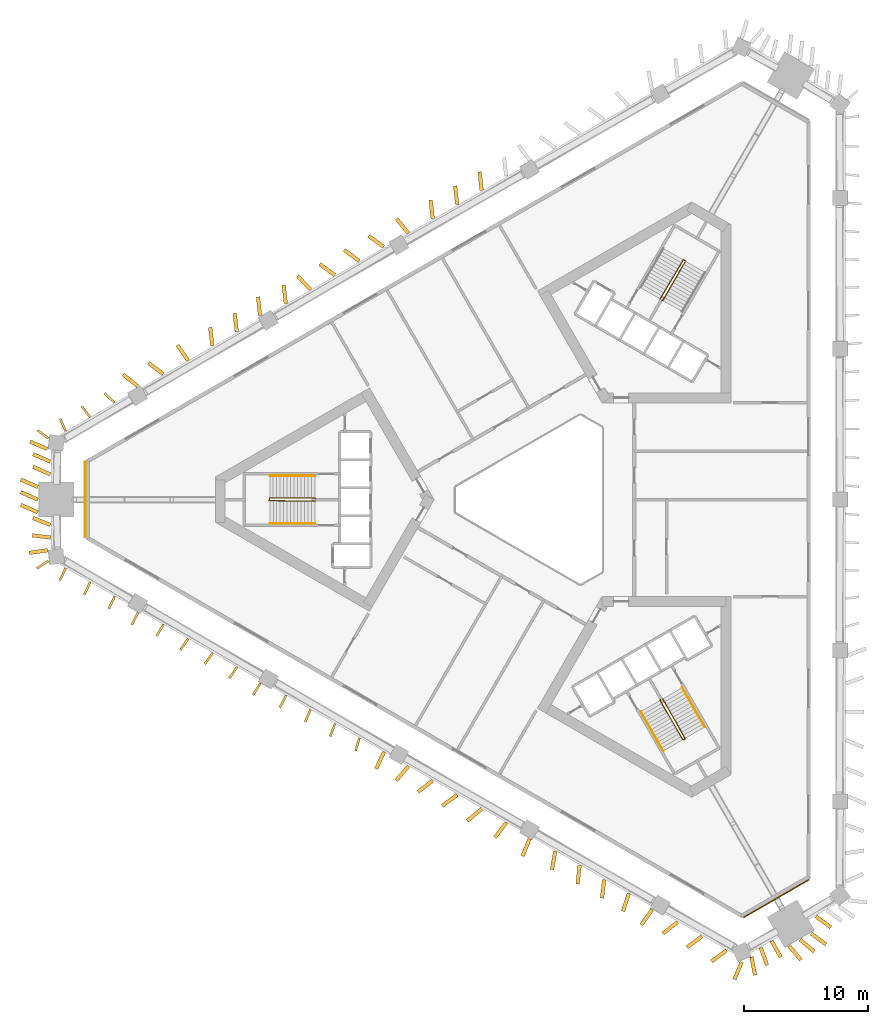
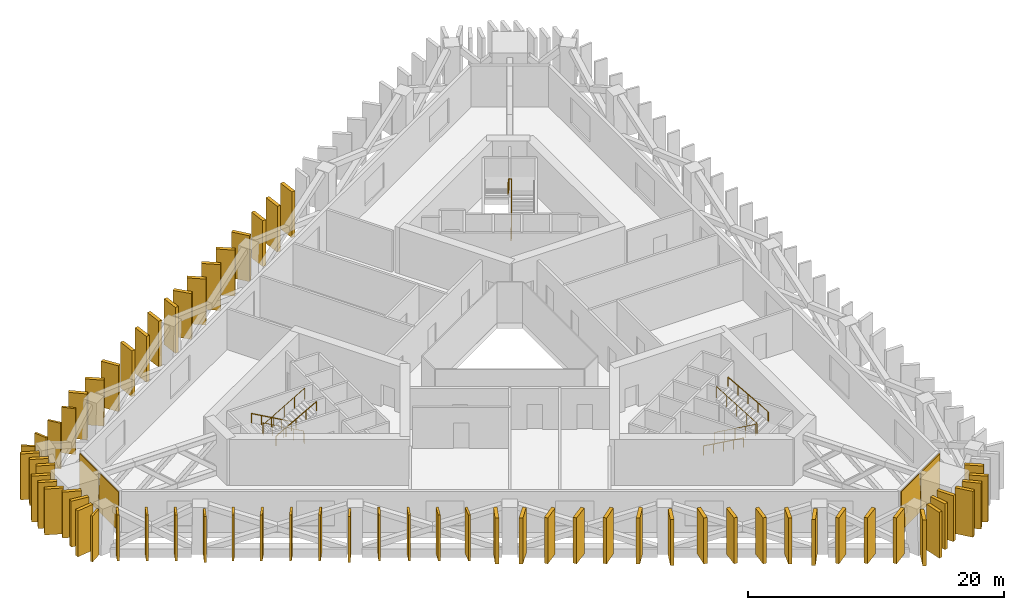
# One storey, part 8 of 9: 65 shading devices, 7 railings, 4 coverings.
"""IFC4 building model written with IfcOpenShell, lengths in metres."""

from ifc_helpers import new_model, si_unit, direction, frame, frame_2d, origin, origin_2d, place, context, subcontext, project, spatial, rectangle, circle, extrude, material, layer, layer_set, type_object, element, save


model = new_model("IFC4")

# Units and contexts
model_context = context("Model", 3, precision=1e-05, world=origin(), true_north=direction((0.0, 1.0)))
body_context = subcontext(model_context, "Body", "Model", "MODEL_VIEW")
ifc_project = project(units=[si_unit("LENGTHUNIT", "METRE"), si_unit("AREAUNIT", "SQUARE_METRE"), si_unit("VOLUMEUNIT", "CUBIC_METRE"), si_unit("PLANEANGLEUNIT", "RADIAN"), si_unit("MASSUNIT", "GRAM", prefix="KILO")], contexts=[model_context])

# Site, building, storey
site_placement = place(None, origin())
site = spatial("IfcSite", under=ifc_project, at=site_placement, CompositionType="ELEMENT")
building_placement = place(site_placement, origin())
building = spatial("IfcBuilding", under=site, at=building_placement, Name="Jabali Bay Hotel Tower and Convention Centre", CompositionType="ELEMENT")
storey_placement = place(building_placement, frame((0.0, 0.0, 48.5)))
storey = spatial("IfcBuildingStorey", under=building, at=storey_placement, Name="L10", CompositionType="ELEMENT", Elevation=48.5)

# Shading devices
ifc_material_1 = material(Name="Precast concrete C60", Category="concrete")
ifc_layer_1 = layer(ifc_material_1, 0.179931640625)
ifc_layer_set_1 = layer_set([ifc_layer_1], Name="Precast concrete C60")
shading_device_type_1 = type_object("IfcShadingDeviceType", Name="Precast fin 4380 x 1100", PredefinedType="USERDEFINED", material=ifc_layer_set_1)
shading_device_1_placement = place(storey_placement, frame((40.29296875, 87.79296875, 0.010009765625), z_axis=(0.0, 0.0, 1.0), x_axis=(-0.729059471896, 0.684450353524, 0.0)))
element("IfcShadingDevice", 1, at=shading_device_1_placement, inside=storey, type_object=shading_device_type_1, Name="Fin L10 062", ObjectType="FIN", PredefinedType="USERDEFINED", context=body_context, shape_type="SweptSolid", body=[
    extrude(rectangle(XDim=1.10009765625, YDim=0.179931640625, at=frame_2d((0.550048828125, 0.0))), origin(), (0.0, 0.0, 1.0), 4.3798828125),
])
shading_device_2_placement = place(storey_placement, frame((38.32958984375, 86.644287109375, 0.010009765625), z_axis=(0.0, 0.0, 1.0), x_axis=(-0.617958784537, 0.786210493833, 0.0)))
element("IfcShadingDevice", 2, at=shading_device_2_placement, inside=storey, type_object=shading_device_type_1, Name="Fin L10 063", ObjectType="FIN", PredefinedType="USERDEFINED", context=body_context, shape_type="SweptSolid", body=[
    extrude(rectangle(XDim=1.099853515625, YDim=0.179931640625, at=frame_2d((0.5498046875, 0.0))), origin(), (0.0, 0.0, 1.0), 4.3798828125),
])
for number, where, z_axis, x_axis, name in (
    (3, (36.361083984375, 85.504150390625, 0.010009765625), (0.0, 0.0, 1.0), (-0.403727634838, 0.91487922529, 0.0), "Fin L10 064"),
    (4, (36.362060546875, 74.497802734375, 0.010009765625), (0.0, 0.0, 1.0), (-0.425871847727, -0.90478349306, 0.0), "Fin L10 074"),
    (5, (38.332275390625, 73.3603515625, 0.010009765625), (0.0, 0.0, 1.0), (-0.426139043855, -0.904657678518, 0.0), "Fin L10 075"),
):
    element("IfcShadingDevice", number, at=place(storey_placement, frame(where, z_axis=z_axis, x_axis=x_axis)), inside=storey, type_object=shading_device_type_1, Name=name, ObjectType="FIN", PredefinedType="USERDEFINED", context=body_context, shape_type="SweptSolid", body=[
        extrude(rectangle(XDim=1.10009765625, YDim=0.179931640625, at=frame_2d((0.550048828125, 0.0))), origin(), (0.0, 0.0, 1.0), 4.3798828125),
    ])
shading_device_3_placement = place(storey_placement, frame((40.30224609375, 72.222900390625, 0.010009765625), z_axis=(0.0, 0.0, 1.0), x_axis=(-0.426406259565, -0.904531758317, 0.0)))
element("IfcShadingDevice", 6, at=shading_device_3_placement, inside=storey, type_object=shading_device_type_1, Name="Fin L10 076", ObjectType="FIN", PredefinedType="USERDEFINED", context=body_context, shape_type="SweptSolid", body=[
    extrude(rectangle(XDim=1.099853515625, YDim=0.179931640625, at=frame_2d((0.5498046875, 0.0))), origin(), (0.0, 0.0, 1.0), 4.3798828125),
])
for number, where, z_axis, x_axis, name in (
    (7, (42.173095703125, 70.91357421875, 0.010009765625), (0.0, 0.0, 1.0), (-0.439385247314, -0.898298727842, 0.0), "Fin L10 077"),
    (8, (44.24462890625, 69.9521484375, 0.010009765625), (0.0, 0.0, 1.0), (-0.527103179005, -0.849801293646, 0.0), "Fin L10 078"),
    (9, (46.21240234375, 68.810791015625, 0.010009765625), (0.0, 0.0, 1.0), (-0.570375013662, -0.821384406834, 0.0), "Fin L10 079"),
    (10, (48.1826171875, 67.67333984375, 0.010009765625), (0.0, 0.0, 1.0), (-0.570778360413, -0.821104173223, 0.0), "Fin L10 080"),
):
    element("IfcShadingDevice", number, at=place(storey_placement, frame(where, z_axis=z_axis, x_axis=x_axis)), inside=storey, type_object=shading_device_type_1, Name=name, ObjectType="FIN", PredefinedType="USERDEFINED", context=body_context, shape_type="SweptSolid", body=[
        extrude(rectangle(XDim=1.10009765625, YDim=0.179931640625, at=frame_2d((0.550048828125, 0.0))), origin(), (0.0, 0.0, 1.0), 4.3798828125),
    ])
shading_device_4_placement = place(storey_placement, frame((50.152587890625, 66.53564453125, 0.010009765625), z_axis=(0.0, 0.0, 1.0), x_axis=(-0.571792661688, -0.82039816677, 0.0)))
element("IfcShadingDevice", 11, at=shading_device_4_placement, inside=storey, type_object=shading_device_type_1, Name="Fin L10 081", ObjectType="FIN", PredefinedType="USERDEFINED", context=body_context, shape_type="SweptSolid", body=[
    extrude(rectangle(XDim=1.099853515625, YDim=0.179931640625, at=frame_2d((0.5498046875, 0.0))), origin(), (0.0, 0.0, 1.0), 4.3798828125),
])
for number, where, z_axis, x_axis, name in (
    (12, (52.02490234375, 65.22900390625, 0.010009765625), (0.0, 0.0, 1.0), (-0.531753325391, -0.846899286182, 0.0), "Fin L10 082"),
    (13, (54.09423828125, 64.263671875, 0.010009765625), (0.0, 0.0, 1.0), (-0.455627145521, -0.89017071636, 0.0), "Fin L10 083"),
    (14, (56.0615234375, 63.121337890625, 0.010009765625), (0.0, 0.0, 1.0), (-0.398815377092, -0.917031239923, 0.0), "Fin L10 084"),
    (15, (58.029296875, 61.980224609375, 0.010009765625), (0.0, 0.0, 1.0), (-0.354453502302, -0.935073641328, 0.0), "Fin L10 085"),
):
    element("IfcShadingDevice", number, at=place(storey_placement, frame(where, z_axis=z_axis, x_axis=x_axis)), inside=storey, type_object=shading_device_type_1, Name=name, ObjectType="FIN", PredefinedType="USERDEFINED", context=body_context, shape_type="SweptSolid", body=[
        extrude(rectangle(XDim=1.10009765625, YDim=0.179931640625, at=frame_2d((0.550048828125, 0.0))), origin(), (0.0, 0.0, 1.0), 4.3798828125),
    ])
shading_device_5_placement = place(storey_placement, frame((59.995849609375, 60.836669921875, 0.010009765625), z_axis=(0.0, 0.0, 1.0), x_axis=(-0.279232797294, -0.960223434892, 0.0)))
element("IfcShadingDevice", 16, at=shading_device_5_placement, inside=storey, type_object=shading_device_type_1, Name="Fin L10 086", ObjectType="FIN", PredefinedType="USERDEFINED", context=body_context, shape_type="SweptSolid", body=[
    extrude(rectangle(XDim=1.099853515625, YDim=0.179931640625, at=frame_2d((0.5498046875, 0.0))), origin(), (0.0, 0.0, 1.0), 4.3798828125),
])
shading_device_6_placement = place(storey_placement, frame((34.97314453125, 84.931640625, 0.010009765625), z_axis=(0.0, 0.0, 1.0), x_axis=(-0.805189696637, 0.593017328945, 0.0)))
element("IfcShadingDevice", 17, at=shading_device_6_placement, inside=storey, type_object=shading_device_type_1, Name="Fin L10 114", ObjectType="FIN", PredefinedType="USERDEFINED", context=body_context, shape_type="SweptSolid", body=[
    extrude(rectangle(XDim=1.10009765625, YDim=0.179931640625, at=frame_2d((0.550048828125, 0.0))), origin(), (0.0, 0.0, 1.0), 4.3798828125),
])
shading_device_7_placement = place(storey_placement, frame((34.977294921875, 75.07080078125, 0.010009765625), z_axis=(0.0, 0.0, 1.0), x_axis=(-0.837473682353, -0.546477658615, 0.0)))
element("IfcShadingDevice", 18, at=shading_device_7_placement, inside=storey, type_object=shading_device_type_1, Name="Fin L10 115", ObjectType="FIN", PredefinedType="USERDEFINED", context=body_context, shape_type="SweptSolid", body=[
    extrude(rectangle(XDim=1.099853515625, YDim=0.179931640625, at=frame_2d((0.5498046875, 0.0))), origin(), (0.0, 0.0, 1.0), 4.3798828125),
])
ifc_layer_2 = layer(ifc_material_1, 0.300048828125)
ifc_layer_set_2 = layer_set([ifc_layer_2], Name="Precast concrete C60")
shading_device_type_2 = type_object("IfcShadingDeviceType", Name="Precast fin 4380 x 1500", PredefinedType="USERDEFINED", material=ifc_layer_set_2)
for number, where, z_axis, x_axis, name in (
    (19, (69.826904296875, 104.884033203125, 0.010009765625), (0.0, 0.0, 1.0), (-0.110020665906, 0.993929299837, 0.0), "Fin L10 047"),
    (20, (67.856689453125, 103.74658203125, 0.010009765625), (0.0, 0.0, 1.0), (-0.10985987917, 0.993947084582, 0.0), "Fin L10 048"),
    (21, (65.88671875, 102.609130859375, 0.010009765625), (0.0, 0.0, 1.0), (-0.10985987917, 0.993947084582, 0.0), "Fin L10 049"),
):
    element("IfcShadingDevice", number, at=place(storey_placement, frame(where, z_axis=z_axis, x_axis=x_axis)), inside=storey, type_object=shading_device_type_2, Name=name, ObjectType="FIN", PredefinedType="USERDEFINED", context=body_context, shape_type="SweptSolid", body=[
        extrude(rectangle(XDim=1.5, YDim=0.300048828125, at=frame_2d((0.75, 0.0))), origin(), (0.0, 0.0, 1.0), 4.3798828125),
    ])
shading_device_8_placement = place(storey_placement, frame((63.93408203125, 101.44140625, 0.010009765625), z_axis=(0.0, 0.0, 1.0), x_axis=(-0.638277054246, 0.769806730305, 0.0)))
element("IfcShadingDevice", 22, at=shading_device_8_placement, inside=storey, type_object=shading_device_type_2, Name="Fin L10 050", ObjectType="FIN", PredefinedType="USERDEFINED", context=body_context, shape_type="SweptSolid", body=[
    extrude(rectangle(XDim=1.499755859375, YDim=0.300048828125, at=frame_2d((0.75, 0.0))), origin(), (0.0, 0.0, 1.0), 4.3798828125),
])
for number, where, z_axis, x_axis, name in (
    (23, (61.946533203125, 100.334228515625, 0.010009765625), (0.0, 0.0, 1.0), (-0.805762938582, 0.592238201071, 0.0), "Fin L10 051"),
    (24, (59.9765625, 99.197021484375, 0.010009765625), (0.0, 0.0, 1.0), (-0.805840602837, 0.592132521333, 0.0), "Fin L10 052"),
    (25, (58.006591796875, 98.0595703125, 0.010009765625), (0.0, 0.0, 1.0), (-0.805840602837, 0.592132521333, 0.0), "Fin L10 053"),
    (26, (56.049560546875, 96.8994140625, 0.010009765625), (0.0, 0.0, 1.0), (-0.683951957459, 0.729527052197, 0.0), "Fin L10 054"),
    (27, (54.06640625, 95.78466796875, 0.010009765625), (0.0, 0.0, 1.0), (-0.110020665906, 0.993929299837, 0.0), "Fin L10 055"),
    (28, (51.996337890625, 94.8203125, 0.010009765625), (0.0, 0.0, 1.0), (-0.110020665906, 0.993929299837, 0.0), "Fin L10 056"),
    (29, (50.126220703125, 93.509765625, 0.010009765625), (0.0, 0.0, 1.0), (-0.110181444005, 0.99391148972, 0.0), "Fin L10 057"),
    (30, (48.15625, 92.372314453125, 0.010009765625), (0.0, 0.0, 1.0), (-0.111003156997, 0.9938200537, 0.0), "Fin L10 058"),
):
    element("IfcShadingDevice", number, at=place(storey_placement, frame(where, z_axis=z_axis, x_axis=x_axis)), inside=storey, type_object=shading_device_type_2, Name=name, ObjectType="FIN", PredefinedType="USERDEFINED", context=body_context, shape_type="SweptSolid", body=[
        extrude(rectangle(XDim=1.5, YDim=0.300048828125, at=frame_2d((0.75, 0.0))), origin(), (0.0, 0.0, 1.0), 4.3798828125),
    ])
shading_device_9_placement = place(storey_placement, frame((46.210205078125, 91.193115234375, 0.010009765625), z_axis=(0.0, 0.0, 1.0), x_axis=(-0.567108974027, 0.823642769396, 0.0)))
element("IfcShadingDevice", 31, at=shading_device_9_placement, inside=storey, type_object=shading_device_type_2, Name="Fin L10 059", ObjectType="FIN", PredefinedType="USERDEFINED", context=body_context, shape_type="SweptSolid", body=[
    extrude(rectangle(XDim=1.499755859375, YDim=0.300048828125, at=frame_2d((0.75, 0.0))), origin(), (0.0, 0.0, 1.0), 4.3798828125),
])
for number, where, z_axis, x_axis, name in (
    (32, (44.217041015625, 90.095947265625, 0.010009765625), (0.0, 0.0, 1.0), (-0.797571469082, 0.603224462126, 0.0), "Fin L10 060"),
    (33, (42.149169921875, 89.1279296875, 0.010009765625), (0.0, 0.0, 1.0), (-0.778002376193, 0.628261333076, 0.0), "Fin L10 061"),
    (34, (34.873779296875, 84.07177734375, 0.010009765625), (0.0, 0.0, 1.0), (-0.915760895771, 0.401723763022, 0.0), "Fin L10 065"),
    (35, (35.12060546875, 83.0537109375, 0.010009765625), (0.0, 0.0, 1.0), (-0.915701008109, 0.401860254003, 0.0), "Fin L10 066"),
    (36, (35.12060546875, 82.035888671875, 0.010009765625), (0.0, 0.0, 1.0), (-0.915760895771, 0.401723763022, 0.0), "Fin L10 067"),
):
    element("IfcShadingDevice", number, at=place(storey_placement, frame(where, z_axis=z_axis, x_axis=x_axis)), inside=storey, type_object=shading_device_type_2, Name=name, ObjectType="FIN", PredefinedType="USERDEFINED", context=body_context, shape_type="SweptSolid", body=[
        extrude(rectangle(XDim=1.5, YDim=0.300048828125, at=frame_2d((0.75, 0.0))), origin(), (0.0, 0.0, 1.0), 4.3798828125),
    ])
shading_device_10_placement = place(storey_placement, frame((34.12158203125, 81.017822265625, 0.010009765625), z_axis=(0.0, 0.0, 1.0), x_axis=(-0.915727286998, 0.401800368153, 0.0)))
element("IfcShadingDevice", 37, at=shading_device_10_placement, inside=storey, type_object=shading_device_type_2, Name="Fin L10 068", ObjectType="FIN", PredefinedType="USERDEFINED", context=body_context, shape_type="SweptSolid", body=[
    extrude(rectangle(XDim=1.500244140625, YDim=0.300048828125, at=frame_2d((0.75, 0.0))), origin(), (0.0, 0.0, 1.0), 4.3798828125),
])
for number, where, z_axis, x_axis, name in (
    (38, (34.12158203125, 80.0, 0.010009765625), (0.0, 0.0, 1.0), (-0.915787158528, 0.401663889683, 0.0), "Fin L10 069"),
    (39, (34.12158203125, 78.982177734375, 0.010009765625), (0.0, 0.0, 1.0), (-0.915787158528, 0.401663889683, 0.0), "Fin L10 070"),
    (40, (35.125244140625, 77.964111328125, 0.010009765625), (0.0, 0.0, 1.0), (-0.928476690885, 0.371390676354, 0.0), "Fin L10 071"),
    (41, (35.162841796875, 76.9462890625, 0.010009765625), (0.0, 0.0, 1.0), (-0.992680659366, 0.120768822635, 0.0), "Fin L10 072"),
    (42, (34.913818359375, 75.92822265625, 0.010009765625), (0.0, 0.0, 1.0), (-0.989782789726, -0.142583411248, 0.0), "Fin L10 073"),
    (43, (61.969970703125, 59.7060546875, 0.010009765625), (0.0, 0.0, 1.0), (-0.418604000917, -0.908168866685, 0.0), "Fin L10 087"),
):
    element("IfcShadingDevice", number, at=place(storey_placement, frame(where, z_axis=z_axis, x_axis=x_axis)), inside=storey, type_object=shading_device_type_2, Name=name, ObjectType="FIN", PredefinedType="USERDEFINED", context=body_context, shape_type="SweptSolid", body=[
        extrude(rectangle(XDim=1.5, YDim=0.300048828125, at=frame_2d((0.75, 0.0))), origin(), (0.0, 0.0, 1.0), 4.3798828125),
    ])
shading_device_11_placement = place(storey_placement, frame((63.933349609375, 58.55712890625, 0.010009765625), z_axis=(0.0, 0.0, 1.0), x_axis=(-0.646868461319, -0.762601595691, 0.0)))
element("IfcShadingDevice", 44, at=shading_device_11_placement, inside=storey, type_object=shading_device_type_2, Name="Fin L10 088", ObjectType="FIN", PredefinedType="USERDEFINED", context=body_context, shape_type="SweptSolid", body=[
    extrude(rectangle(XDim=1.499755859375, YDim=0.300048828125, at=frame_2d((0.75, 0.0))), origin(), (0.0, 0.0, 1.0), 4.3798828125),
])
for number, where, z_axis, x_axis, name in (
    (45, (65.887939453125, 57.39306640625, 0.010009765625), (0.0, 0.0, 1.0), (-0.794754966992, -0.60693042636, 0.0), "Fin L10 089"),
    (46, (67.85693359375, 56.253662109375, 0.010009765625), (0.0, 0.0, 1.0), (-0.80466294401, -0.593731881017, 0.0), "Fin L10 090"),
):
    element("IfcShadingDevice", number, at=place(storey_placement, frame(where, z_axis=z_axis, x_axis=x_axis)), inside=storey, type_object=shading_device_type_2, Name=name, ObjectType="FIN", PredefinedType="USERDEFINED", context=body_context, shape_type="SweptSolid", body=[
        extrude(rectangle(XDim=1.5, YDim=0.300048828125, at=frame_2d((0.75, 0.0))), origin(), (0.0, 0.0, 1.0), 4.3798828125),
    ])
shading_device_12_placement = place(storey_placement, frame((69.830810546875, 55.122802734375, 0.010009765625), z_axis=(0.0, 0.0, 1.0), x_axis=(-0.771704702331, -0.635981015755, 0.0)))
element("IfcShadingDevice", 47, at=shading_device_12_placement, inside=storey, type_object=shading_device_type_2, Name="Fin L10 091", ObjectType="FIN", PredefinedType="USERDEFINED", context=body_context, shape_type="SweptSolid", body=[
    extrude(rectangle(XDim=1.500244140625, YDim=0.300048828125, at=frame_2d((0.75, 0.0))), origin(), (0.0, 0.0, 1.0), 4.3798828125),
])
for number, where, z_axis, x_axis, name in (
    (48, (71.816650390625, 54.0126953125, 0.010009765625), (0.0, 0.0, 1.0), (-0.615280724013, -0.788308081056, 0.0), "Fin L10 092"),
    (49, (73.68798828125, 52.7041015625, 0.010009765625), (0.0, 0.0, 1.0), (-0.388668122057, -0.921377822013, 0.0), "Fin L10 093"),
    (50, (75.741455078125, 51.711669921875, 0.010009765625), (0.0, 0.0, 1.0), (-0.174156727731, -0.984717946514, 0.0), "Fin L10 094"),
    (51, (77.70703125, 50.56640625, 0.010009765625), (0.0, 0.0, 1.0), (-0.10985987917, -0.993947084582, 0.0), "Fin L10 095"),
    (52, (79.677490234375, 49.429443359375, 0.010009765625), (0.0, 0.0, 1.0), (-0.11393217094, -0.993488530596, 0.0), "Fin L10 096"),
    (53, (81.662109375, 48.317138671875, 0.010009765625), (0.0, 0.0, 1.0), (-0.312319062948, -0.949977264422, 0.0), "Fin L10 097"),
    (54, (83.54052734375, 47.02099609375, 0.010009765625), (0.0, 0.0, 1.0), (-0.578432715509, -0.815730098518, 0.0), "Fin L10 098"),
    (55, (85.58935546875, 46.020263671875, 0.010009765625), (0.0, 0.0, 1.0), (-0.787807166322, -0.615921966398, 0.0), "Fin L10 099"),
    (56, (87.557373046875, 44.879150390625, 0.010009765625), (0.0, 0.0, 1.0), (-0.805840602837, -0.592132521333, 0.0), "Fin L10 100"),
    (57, (89.527587890625, 43.741943359375, 0.010009765625), (0.0, 0.0, 1.0), (-0.805762938582, -0.592238201071, 0.0), "Fin L10 101"),
    (58, (91.531005859375, 43.22412109375, 0.010009765625), (0.0, 0.0, 1.0), (0.190603894976, -0.981667028692, 0.0), "Fin L10 102"),
    (59, (92.2783203125, 43.965576171875, 0.010009765625), (0.0, 0.0, 1.0), (0.337387824728, -0.941365739617, 0.0), "Fin L10 103"),
    (60, (93.14697265625, 44.4970703125, 0.010009765625), (0.0, 0.0, 1.0), (0.495753284064, -0.868463402418, 0.0), "Fin L10 104"),
    (61, (94.540771484375, 44.118408203125, 0.010009765625), (0.0, 0.0, 1.0), (0.64537293715, -0.763867640364, 0.0), "Fin L10 105"),
    (62, (95.43505859375, 44.60546875, 0.010009765625), (0.0, 0.0, 1.0), (0.768541362393, -0.639800104948, 0.0), "Fin L10 106"),
    (63, (96.32080078125, 45.107177734375, 0.010009765625), (0.0, 0.0, 1.0), (0.805762938582, -0.592238201071, 0.0), "Fin L10 107"),
    (64, (96.702880859375, 46.4814453125, 0.010009765625), (0.0, 0.0, 1.0), (0.805705844299, -0.592315872203, 0.0), "Fin L10 108"),
    (65, (90.74267578125, 42.80078125, 0.010009765625), (0.0, 0.0, 1.0), (-0.385770864309, -0.922594624009, 0.0), "Fin L10 116"),
):
    element("IfcShadingDevice", number, at=place(storey_placement, frame(where, z_axis=z_axis, x_axis=x_axis)), inside=storey, type_object=shading_device_type_2, Name=name, ObjectType="FIN", PredefinedType="USERDEFINED", context=body_context, shape_type="SweptSolid", body=[
        extrude(rectangle(XDim=1.5, YDim=0.300048828125, at=frame_2d((0.75, 0.0))), origin(), (0.0, 0.0, 1.0), 4.3798828125),
    ])

# Coverings
ifc_material_2 = material(Name="Precast concrete C40/50", Category="concrete")
ifc_layer_3 = layer(ifc_material_2, 0.080078125)
ifc_layer_set_3 = layer_set([ifc_layer_3], Name="Precast concrete C40/50")
covering_type = type_object("IfcCoveringType", Name="Relief panel 3000 x 3700", PredefinedType="CLADDING", material=ifc_layer_set_3)
for number, where, z_axis, x_axis, name in (
    (66, (37.94091796875, 78.4638671875, 0.10009765625), (0.0, 0.0, 1.0), (0.0, 1.0, 0.0), "Relief panel L10"),
    (67, (37.94091796875, 81.5361328125, 0.10009765625), (0.0, 0.0, 1.0), (0.0, 1.0, 0.0), "Relief panel L10"),
    (68, (94.85986328125, 48.673828125, 0.10009765625), (0.0, 0.0, 1.0), (-0.86602540546, -0.499999997098, 0.0), "Relief panel L10"),
    (69, (92.19921875, 47.1376953125, 0.10009765625), (0.0, 0.0, 1.0), (-0.86602540546, -0.499999997098, 0.0), "Relief panel L10"),
):
    element("IfcCovering", number, at=place(storey_placement, frame(where, z_axis=z_axis, x_axis=x_axis)), inside=storey, type_object=covering_type, Name=name, PredefinedType="CLADDING", context=body_context, shape_type="SweptSolid", body=[
        extrude(rectangle(XDim=3.0, YDim=0.080078125, at=origin_2d()), origin(), (0.0, 0.0, 1.0), 3.699951171875),
    ])

# Railings
ifc_material_3 = material(Name="Steel Q355B", Category="steel")
railing_type_1 = type_object("IfcRailingType", Name="Stair guard 1100", PredefinedType="GUARDRAIL", material=ifc_material_3)
railing_1_placement = place(storey_placement, frame((56.469970703125, 80.074951171875, 0.0)))
element("IfcRailing", 70, at=railing_1_placement, inside=storey, type_object=railing_type_1, Name="L10 ST1 stair guard 1", PredefinedType="GUARDRAIL", context=body_context, shape_type="SweptSolid", body=[
    extrude(circle(Radius=0.02392578125, at=origin_2d()), frame((0.0, 0.0, 1.076171875), z_axis=(-0.290266377826, 0.290266377826, 0.911861206439), x_axis=(-0.707106781187, -0.707106781187, 0.0)), (0.0, 0.0, 1.0), 0.17236328125),
    extrude(circle(Radius=0.02392578125, at=origin_2d()), frame((-0.050048828125, 0.050048828125, 1.2333984375), z_axis=(-0.872057804188, 0.0, 0.489402887359), x_axis=(0.0, -1.0, 0.0)), (0.0, 0.0, 1.0), 4.173828125),
    extrude(circle(Radius=0.02392578125, at=origin_2d()), frame((-3.68994140625, 0.050048828125, 3.27587890625), z_axis=(-0.242814311512, -0.970072785993, 0.0), x_axis=(0.970072785993, -0.242814311512, 0.0)), (0.0, 0.0, 1.0), 0.2060546875),
    extrude(circle(Radius=0.02392578125, at=origin_2d()), frame((-3.739990234375, -0.14990234375, 3.27587890625), z_axis=(0.858870423873, -0.011649360652, 0.512060433341), x_axis=(0.013562335953, 0.999908027292, 0.0)), (0.0, 0.0, 1.0), 4.29638671875),
    extrude(circle(Radius=0.02099609375, at=origin_2d()), origin(), (0.0, 0.0, 1.0), 1.052001953125),
    extrude(circle(Radius=0.02099609375, at=origin_2d()), frame((-0.050048828125, 0.050048828125, 0.1572265625)), (0.0, 0.0, 1.0), 1.052001953125),
    extrude(circle(Radius=0.02099609375, at=origin_2d()), frame((-0.9599609375, 0.050048828125, 0.66796875)), (0.0, 0.0, 1.0), 1.052001953125),
    extrude(circle(Radius=0.02099609375, at=origin_2d()), frame((-1.8701171875, 0.050048828125, 1.1787109375)), (0.0, 0.0, 1.0), 1.052001953125),
    extrude(circle(Radius=0.02099609375, at=origin_2d()), frame((-2.780029296875, 0.050048828125, 1.689208984375)), (0.0, 0.0, 1.0), 1.052001953125),
    extrude(circle(Radius=0.02099609375, at=origin_2d()), frame((-3.68994140625, 0.050048828125, 2.199951171875)), (0.0, 0.0, 1.0), 1.052001953125),
    extrude(circle(Radius=0.02099609375, at=origin_2d()), frame((-3.739990234375, -0.14990234375, 2.199951171875)), (0.0, 0.0, 1.0), 1.052001953125),
    extrude(circle(Radius=0.02099609375, at=origin_2d()), frame((-2.8173828125, -0.162353515625, 2.75)), (0.0, 0.0, 1.0), 1.052001953125),
    extrude(circle(Radius=0.02099609375, at=origin_2d()), frame((-1.89501953125, -0.1748046875, 3.2998046875)), (0.0, 0.0, 1.0), 1.052001953125),
    extrude(circle(Radius=0.02099609375, at=origin_2d()), frame((-0.97265625, -0.1875, 3.849853515625)), (0.0, 0.0, 1.0), 1.052001953125),
    extrude(circle(Radius=0.02099609375, at=origin_2d()), frame((-0.050048828125, -0.199951171875, 4.39990234375)), (0.0, 0.0, 1.0), 1.052001953125),
])
railing_2_placement = place(storey_placement, frame((84.329833984375, 96.010009765625, 0.0)))
element("IfcRailing", 71, at=railing_2_placement, inside=storey, type_object=railing_type_1, Name="L10 ST2 stair guard 1", PredefinedType="GUARDRAIL", context=body_context, shape_type="SweptSolid", body=[
    extrude(circle(Radius=0.02392578125, at=origin_2d()), frame((0.0, 0.0, 1.076171875), z_axis=(0.396471330136, 0.106197677715, 0.911884059312), x_axis=(-0.258736085224, 0.965948051503, 0.0)), (0.0, 0.0, 1.0), 0.17236328125),
    extrude(circle(Radius=0.02392578125, at=origin_2d()), frame((0.068359375, 0.018310546875, 1.2333984375), z_axis=(0.436044357701, 0.755225318126, 0.48938740991), x_axis=(-0.866018046521, 0.500012742938, 0.0)), (0.0, 0.0, 1.0), 4.174072265625),
    extrude(circle(Radius=0.02392578125, at=origin_2d()), frame((1.888427734375, 3.170654296875, 3.27587890625), z_axis=(-0.718850276695, 0.695164929852, 0.0), x_axis=(-0.695164929852, -0.718850276695, 0.0)), (0.0, 0.0, 1.0), 0.2060546875),
    extrude(circle(Radius=0.02392578125, at=origin_2d()), frame((1.740234375, 3.31396484375, 3.27587890625), z_axis=(-0.439537937446, -0.737980503376, 0.512046070372), x_axis=(0.859157857954, -0.511710636118, 0.0)), (0.0, 0.0, 1.0), 4.29638671875),
    extrude(circle(Radius=0.02099609375, at=origin_2d()), origin(), (0.0, 0.0, 1.0), 1.052001953125),
    extrude(circle(Radius=0.02099609375, at=origin_2d()), frame((0.068359375, 0.018310546875, 0.1572265625)), (0.0, 0.0, 1.0), 1.052001953125),
    extrude(circle(Radius=0.02099609375, at=origin_2d()), frame((0.5234375, 0.806396484375, 0.66796875)), (0.0, 0.0, 1.0), 1.052001953125),
    extrude(circle(Radius=0.02099609375, at=origin_2d()), frame((0.978515625, 1.594482421875, 1.1787109375)), (0.0, 0.0, 1.0), 1.052001953125),
    extrude(circle(Radius=0.02099609375, at=origin_2d()), frame((1.433349609375, 2.382568359375, 1.689208984375)), (0.0, 0.0, 1.0), 1.052001953125),
    extrude(circle(Radius=0.02099609375, at=origin_2d()), frame((1.888427734375, 3.170654296875, 2.199951171875)), (0.0, 0.0, 1.0), 1.052001953125),
    extrude(circle(Radius=0.02099609375, at=origin_2d()), frame((1.740234375, 3.31396484375, 2.199951171875)), (0.0, 0.0, 1.0), 1.052001953125),
    extrude(circle(Radius=0.02099609375, at=origin_2d()), frame((1.26806640625, 2.521240234375, 2.75)), (0.0, 0.0, 1.0), 1.052001953125),
    extrude(circle(Radius=0.02099609375, at=origin_2d()), frame((0.7958984375, 1.728515625, 3.2998046875)), (0.0, 0.0, 1.0), 1.052001953125),
    extrude(circle(Radius=0.02099609375, at=origin_2d()), frame((0.323974609375, 0.93603515625, 3.849853515625)), (0.0, 0.0, 1.0), 1.052001953125),
    extrude(circle(Radius=0.02099609375, at=origin_2d()), frame((-0.148193359375, 0.143310546875, 4.39990234375)), (0.0, 0.0, 1.0), 1.052001953125),
])
railing_3_placement = place(storey_placement, frame((84.199951171875, 63.9150390625, 0.0)))
element("IfcRailing", 72, at=railing_3_placement, inside=storey, type_object=railing_type_1, Name="L10 ST3 stair guard 1", PredefinedType="GUARDRAIL", context=body_context, shape_type="SweptSolid", body=[
    extrude(circle(Radius=0.02392578125, at=origin_2d()), frame((0.0, 0.0, 1.076171875), z_axis=(-0.106197677715, -0.396471330136, 0.911884059312), x_axis=(0.965948051503, -0.258736085224, 0.0)), (0.0, 0.0, 1.0), 0.17236328125),
    extrude(circle(Radius=0.02392578125, at=origin_2d()), frame((-0.018310546875, -0.068359375, 1.2333984375), z_axis=(0.436044357701, -0.755225318126, 0.48938740991), x_axis=(0.866018046521, 0.500012742938, 0.0)), (0.0, 0.0, 1.0), 4.174072265625),
    extrude(circle(Radius=0.02392578125, at=origin_2d()), frame((1.8017578125, -3.220703125, 3.27587890625), z_axis=(0.96121063429, 0.275815366736, 0.0), x_axis=(-0.275815366736, 0.96121063429, 0.0)), (0.0, 0.0, 1.0), 0.206298828125),
    extrude(circle(Radius=0.02392578125, at=origin_2d()), frame((2.0, -3.163818359375, 3.27587890625), z_axis=(-0.419382495405, 0.749603590364, 0.512067163428), x_axis=(-0.872702246529, -0.488252792008, 0.0)), (0.0, 0.0, 1.0), 4.296142578125),
    extrude(circle(Radius=0.02099609375, at=origin_2d()), origin(), (0.0, 0.0, 1.0), 1.052001953125),
    extrude(circle(Radius=0.02099609375, at=origin_2d()), frame((-0.018310546875, -0.068359375, 0.1572265625)), (0.0, 0.0, 1.0), 1.052001953125),
    extrude(circle(Radius=0.02099609375, at=origin_2d()), frame((0.436767578125, -0.8564453125, 0.66796875)), (0.0, 0.0, 1.0), 1.052001953125),
    extrude(circle(Radius=0.02099609375, at=origin_2d()), frame((0.8916015625, -1.64453125, 1.1787109375)), (0.0, 0.0, 1.0), 1.052001953125),
    extrude(circle(Radius=0.02099609375, at=origin_2d()), frame((1.3466796875, -2.4326171875, 1.689208984375)), (0.0, 0.0, 1.0), 1.052001953125),
    extrude(circle(Radius=0.02099609375, at=origin_2d()), frame((1.8017578125, -3.220703125, 2.199951171875)), (0.0, 0.0, 1.0), 1.052001953125),
    extrude(circle(Radius=0.02099609375, at=origin_2d()), frame((2.0, -3.163818359375, 2.199951171875)), (0.0, 0.0, 1.0), 1.052001953125),
    extrude(circle(Radius=0.02099609375, at=origin_2d()), frame((1.549560546875, -2.358642578125, 2.75)), (0.0, 0.0, 1.0), 1.052001953125),
    extrude(circle(Radius=0.02099609375, at=origin_2d()), frame((1.09912109375, -1.5537109375, 3.2998046875)), (0.0, 0.0, 1.0), 1.052001953125),
    extrude(circle(Radius=0.02099609375, at=origin_2d()), frame((0.648681640625, -0.74853515625, 3.849853515625)), (0.0, 0.0, 1.0), 1.052001953125),
    extrude(circle(Radius=0.02099609375, at=origin_2d()), frame((0.1982421875, 0.056640625, 4.39990234375)), (0.0, 0.0, 1.0), 1.052001953125),
])
railing_type_2 = type_object("IfcRailingType", Name="Stair handrail 900", PredefinedType="HANDRAIL", material=ifc_material_3)
railing_4_placement = place(storey_placement, frame((56.419921875, 81.925048828125, 0.1572265625)))
element("IfcRailing", 73, at=railing_4_placement, inside=storey, type_object=railing_type_2, Name="L10 ST1 stair handrail 1", PredefinedType="HANDRAIL", context=body_context, shape_type="SweptSolid", body=[
    extrude(circle(Radius=0.02392578125, at=origin_2d()), frame((0.0, 0.0, 0.8759765625), z_axis=(-0.872057804188, 0.0, 0.489402887359), x_axis=(0.0, -1.0, 0.0)), (0.0, 0.0, 1.0), 4.173828125),
    extrude(circle(Radius=0.02099609375, at=origin_2d()), origin(), (0.0, 0.0, 1.0), 0.851806640625),
    extrude(circle(Radius=0.02099609375, at=origin_2d()), frame((-0.909912109375, 0.0, 0.5107421875)), (0.0, 0.0, 1.0), 0.851806640625),
    extrude(circle(Radius=0.02099609375, at=origin_2d()), frame((-1.81982421875, 0.0, 1.021484375)), (0.0, 0.0, 1.0), 0.851806640625),
    extrude(circle(Radius=0.02099609375, at=origin_2d()), frame((-2.72998046875, 0.0, 1.531982421875)), (0.0, 0.0, 1.0), 0.851806640625),
    extrude(circle(Radius=0.02099609375, at=origin_2d()), frame((-3.639892578125, 0.0, 2.042724609375)), (0.0, 0.0, 1.0), 0.851806640625),
])
railing_5_placement = place(storey_placement, frame((52.780029296875, 78.074951171875, 2.357177734375)))
element("IfcRailing", 74, at=railing_5_placement, inside=storey, type_object=railing_type_2, Name="L10 ST1 stair handrail 2", PredefinedType="HANDRAIL", context=body_context, shape_type="SweptSolid", body=[
    extrude(circle(Radius=0.02392578125, at=origin_2d()), frame((0.0, 0.0, 0.8759765625), z_axis=(0.872057804188, 0.0, 0.489402887359), x_axis=(0.0, 1.0, 0.0)), (0.0, 0.0, 1.0), 4.173828125),
    extrude(circle(Radius=0.02099609375, at=origin_2d()), origin(), (0.0, 0.0, 1.0), 0.851806640625),
    extrude(circle(Radius=0.02099609375, at=origin_2d()), frame((0.909912109375, 0.0, 0.5107421875)), (0.0, 0.0, 1.0), 0.851806640625),
    extrude(circle(Radius=0.02099609375, at=origin_2d()), frame((1.81982421875, 0.0, 1.021484375)), (0.0, 0.0, 1.0), 0.851806640625),
    extrude(circle(Radius=0.02099609375, at=origin_2d()), frame((2.72998046875, 0.0, 1.531982421875)), (0.0, 0.0, 1.0), 0.851806640625),
    extrude(circle(Radius=0.02099609375, at=origin_2d()), frame((3.639892578125, 0.0, 2.042724609375)), (0.0, 0.0, 1.0), 0.851806640625),
])
railing_6_placement = place(storey_placement, frame((82.622802734375, 62.94677734375, 0.1572265625)))
element("IfcRailing", 75, at=railing_6_placement, inside=storey, type_object=railing_type_2, Name="L10 ST3 stair handrail 1", PredefinedType="HANDRAIL", context=body_context, shape_type="SweptSolid", body=[
    extrude(circle(Radius=0.02392578125, at=origin_2d()), frame((0.0, 0.0, 0.8759765625), z_axis=(0.436044357701, -0.755225318126, 0.48938740991), x_axis=(0.866018046521, 0.500012742938, 0.0)), (0.0, 0.0, 1.0), 4.174072265625),
    extrude(circle(Radius=0.02099609375, at=origin_2d()), origin(), (0.0, 0.0, 1.0), 0.851806640625),
    extrude(circle(Radius=0.02099609375, at=origin_2d()), frame((0.455078125, -0.7880859375, 0.5107421875)), (0.0, 0.0, 1.0), 0.851806640625),
    extrude(circle(Radius=0.02099609375, at=origin_2d()), frame((0.91015625, -1.576171875, 1.021484375)), (0.0, 0.0, 1.0), 0.851806640625),
    extrude(circle(Radius=0.02099609375, at=origin_2d()), frame((1.364990234375, -2.3642578125, 1.531982421875)), (0.0, 0.0, 1.0), 0.851806640625),
    extrude(circle(Radius=0.02099609375, at=origin_2d()), frame((1.820068359375, -3.15234375, 2.042724609375)), (0.0, 0.0, 1.0), 0.851806640625),
])
railing_7_placement = place(storey_placement, frame((87.777099609375, 61.719482421875, 2.357177734375)))
element("IfcRailing", 76, at=railing_7_placement, inside=storey, type_object=railing_type_2, Name="L10 ST3 stair handrail 2", PredefinedType="HANDRAIL", context=body_context, shape_type="SweptSolid", body=[
    extrude(circle(Radius=0.02392578125, at=origin_2d()), frame((0.0, 0.0, 0.8759765625), z_axis=(-0.436044357701, 0.755225318126, 0.48938740991), x_axis=(-0.866018046521, -0.500012742938, 0.0)), (0.0, 0.0, 1.0), 4.174072265625),
    extrude(circle(Radius=0.02099609375, at=origin_2d()), origin(), (0.0, 0.0, 1.0), 0.851806640625),
    extrude(circle(Radius=0.02099609375, at=origin_2d()), frame((-0.455078125, 0.7880859375, 0.5107421875)), (0.0, 0.0, 1.0), 0.851806640625),
    extrude(circle(Radius=0.02099609375, at=origin_2d()), frame((-0.91015625, 1.576171875, 1.021484375)), (0.0, 0.0, 1.0), 0.851806640625),
    extrude(circle(Radius=0.02099609375, at=origin_2d()), frame((-1.364990234375, 2.3642578125, 1.531982421875)), (0.0, 0.0, 1.0), 0.851806640625),
    extrude(circle(Radius=0.02099609375, at=origin_2d()), frame((-1.820068359375, 3.15234375, 2.042724609375)), (0.0, 0.0, 1.0), 0.851806640625),
])

save(model, "model.ifc")
